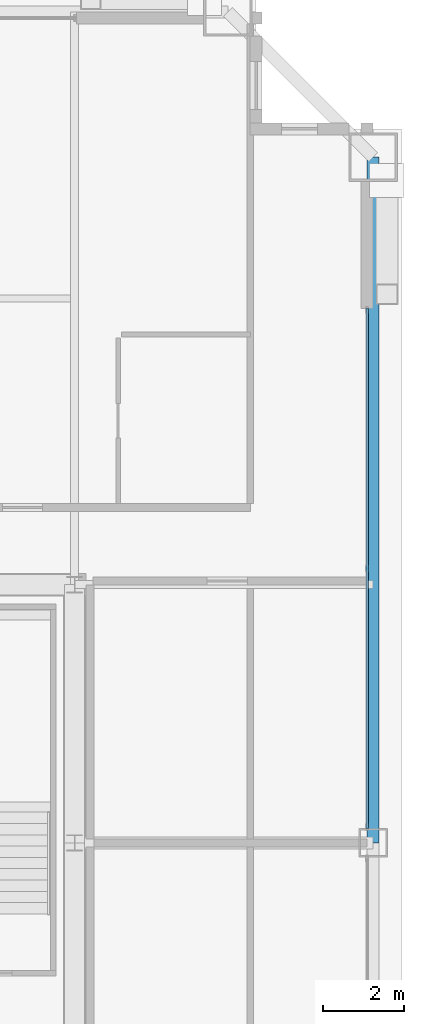
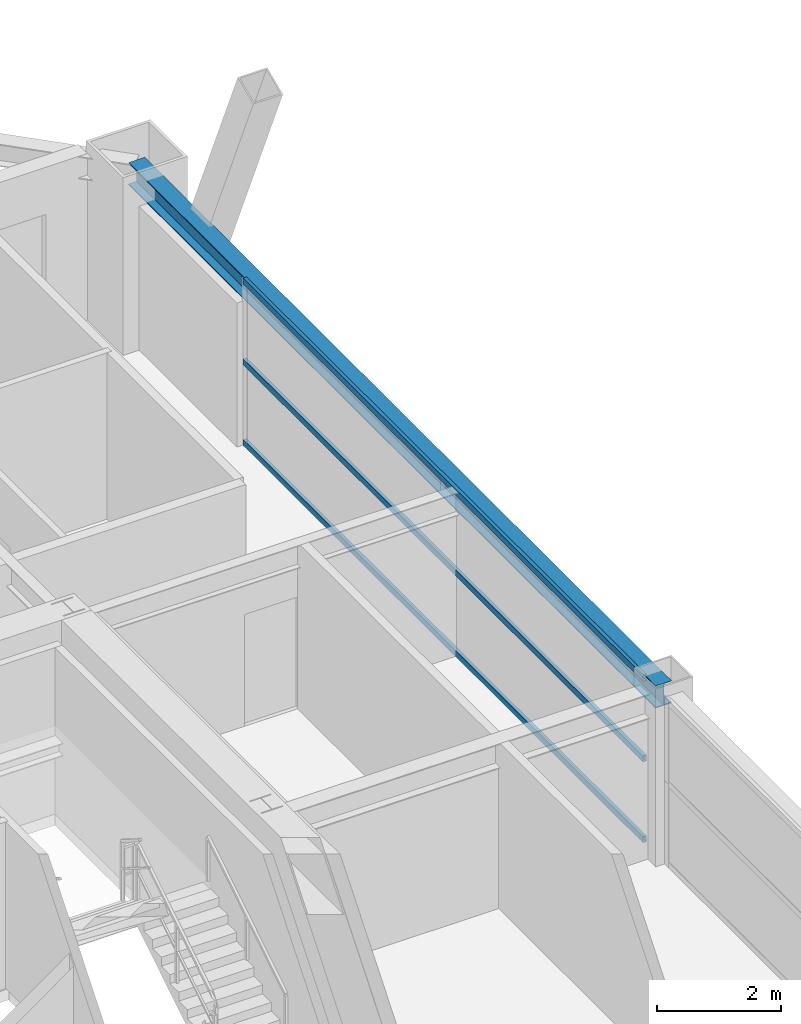
# One storey, part 19 of 34: 3 members, 1 beam, 1 element without a shape of its own.
"""IFC4 building model written with IfcOpenShell, lengths in metres."""

from ifc_helpers import new_model, si_unit, direction, frame, origin, origin_2d, place, context, subcontext, project, spatial, hollow_rectangle, i_section, extrude, source, transform, mapped, material, layer, layer_set, material_profile, profile_set, type_object, element, aggregate, save


model = new_model("IFC4")

# Units and contexts
model_context = context("Model", 3, precision=1e-05, world=origin(), true_north=direction((0.0, 1.0)))
body_context = subcontext(model_context, "Body", "Model", "MODEL_VIEW")
ifc_project = project(units=[si_unit("LENGTHUNIT", "METRE"), si_unit("AREAUNIT", "SQUARE_METRE"), si_unit("VOLUMEUNIT", "CUBIC_METRE"), si_unit("PLANEANGLEUNIT", "RADIAN"), si_unit("MASSUNIT", "GRAM", prefix="KILO"), si_unit("THERMODYNAMICTEMPERATUREUNIT", "KELVIN"), si_unit("POWERUNIT", "WATT")], contexts=[model_context])

# Site, building, storey
site_placement = place(None, origin())
site = spatial("IfcSite", under=ifc_project, at=site_placement, CompositionType="ELEMENT")
building_placement = place(site_placement, origin())
building = spatial("IfcBuilding", under=site, at=building_placement, Name="Yuzanri Waterfront Tower", CompositionType="ELEMENT")
storey_placement = place(building_placement, frame((0.0, 0.0, 241.60009765625)))
storey = spatial("IfcBuildingStorey", under=building, at=storey_placement, Name="L64", CompositionType="ELEMENT", Elevation=241.60009765625)

# Beam
ifc_material_1 = material(Name="Steel Q355B", Category="steel")
ifc_material_profile_1 = material_profile(ifc_material_1, i_section(OverallWidth=0.300048828125, OverallDepth=0.43994140625, WebThickness=0.010986328125, FlangeThickness=0.01806640625, at=origin_2d()), Name="HM 440x300x11x18")
ifc_profile_set_1 = profile_set([ifc_material_profile_1], Name="Steel Q355B")
beam_type = type_object("IfcBeamType", Name="Perimeter Spandrel Q355B HM 440x300", PredefinedType="SPANDREL", material=ifc_profile_set_1)
shared_shape_1 = source(origin(), body_context, "Body", "SweptSolid", [
    extrude(i_section(OverallWidth=0.300048828125, OverallDepth=0.43994140625, WebThickness=0.010986328125, FlangeThickness=0.01806640625, at=origin_2d()), origin(), (0.0, 0.0, 1.0), 17.0),
])
beam_placement = place(storey_placement, frame((57.60009765625, 25.800048828125, 3.059814453125), z_axis=(0.0, 1.0, 0.0), x_axis=(-1.0, 0.0, 0.0)))
element("IfcBeam", 1, at=beam_placement, inside=storey, type_object=beam_type, Name="L64 Perimeter Spandrel E2-E3", PredefinedType="SPANDREL", context=body_context, shape_type="MappedRepresentation", body=[
    mapped(shared_shape_1, transform((0.0, 0.0, 0.0), scale=1.0)),
])

# Curtain wall, members
ifc_material_2 = material(Name="Anodized Architectural Bronze", Category="metal")
ifc_layer = layer(ifc_material_2, 0.159912109375)
ifc_layer_set = layer_set([ifc_layer], Name="Anodized Architectural Bronze")
curtain_wall_type = type_object("IfcCurtainWallType", Name="Anodized Bronze Mid-Rise Residential Acoustic Unitized Curtain Wall 7200", PredefinedType="NOTDEFINED", material=ifc_layer_set)
curtain_wall_placement = place(storey_placement, origin())
curtain_wall = element("IfcCurtainWall", 2, at=curtain_wall_placement, inside=storey, type_object=curtain_wall_type, Name="L64 Curtain Wall CW-L64-ER", PredefinedType="NOTDEFINED")
ifc_material_3 = material(Name="Anodized Architectural Bronze", Category="metal")
ifc_material_profile_2 = material_profile(ifc_material_3, hollow_rectangle(XDim=0.06494140625, YDim=0.1201171875, WallThickness=0.00341796875, at=origin_2d()), Name="CWT 65x120")
ifc_profile_set_2 = profile_set([ifc_material_profile_2], Name="Anodized Architectural Bronze")
member_type = type_object("IfcMemberType", Name="Anodized Bronze Secondary Curtain-Wall Transom 65x120", PredefinedType="USERDEFINED", material=ifc_profile_set_2)
shared_shape_2 = source(origin(), body_context, "Body", "SweptSolid", [
    extrude(hollow_rectangle(XDim=0.06494140625, YDim=0.1201171875, WallThickness=0.00341796875, at=origin_2d()), origin(), (0.0, 0.0, 1.0), 12.900146484375),
])
member_1_placement = place(storey_placement, frame((57.449951171875, 26.14990234375, 0.0498046875), z_axis=(0.0, 1.0, 0.0), x_axis=(-1.0, 0.0, 0.0)))
member_1 = element("IfcMember", 3, at=member_1_placement, type_object=member_type, Name="CW-L64-ER Transom 1", ObjectType="TRANSOM", PredefinedType="USERDEFINED", context=body_context, shape_type="MappedRepresentation", body=[
    mapped(shared_shape_2, transform((0.0, 0.0, 0.0), scale=1.0)),
])
member_2_placement = place(storey_placement, frame((57.449951171875, 26.14990234375, 1.639892578125), z_axis=(0.0, 1.0, 0.0), x_axis=(-1.0, 0.0, 0.0)))
member_2 = element("IfcMember", 4, at=member_2_placement, type_object=member_type, Name="CW-L64-ER Transom 2", ObjectType="TRANSOM", PredefinedType="USERDEFINED", context=body_context, shape_type="MappedRepresentation", body=[
    mapped(shared_shape_2, transform((0.0, 0.0, 0.0), scale=1.0)),
])
member_3_placement = place(storey_placement, frame((57.449951171875, 26.14990234375, 3.22998046875), z_axis=(0.0, 1.0, 0.0), x_axis=(-1.0, 0.0, 0.0)))
member_3 = element("IfcMember", 5, at=member_3_placement, type_object=member_type, Name="CW-L64-ER Transom 3", ObjectType="TRANSOM", PredefinedType="USERDEFINED", context=body_context, shape_type="MappedRepresentation", body=[
    mapped(shared_shape_2, transform((0.0, 0.0, 0.0), scale=1.0)),
])
aggregate(curtain_wall, [member_1, member_2, member_3])

save(model, "model.ifc")
